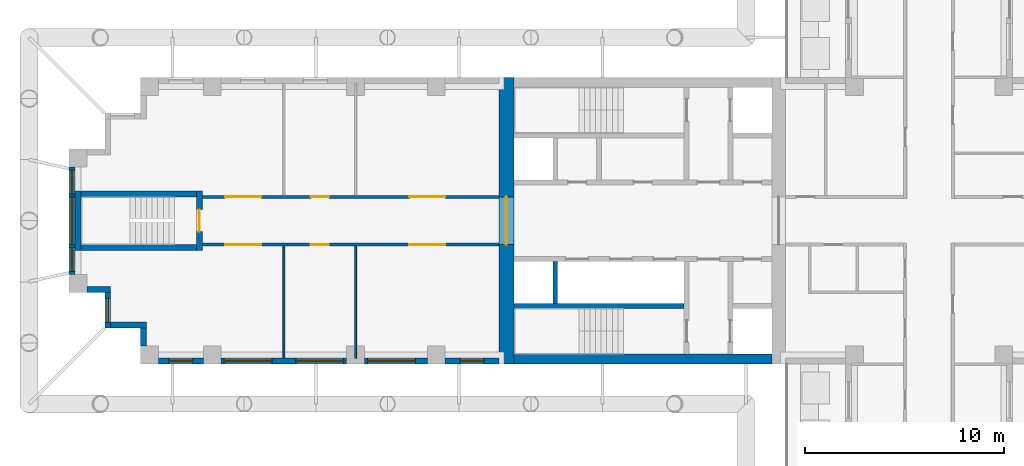
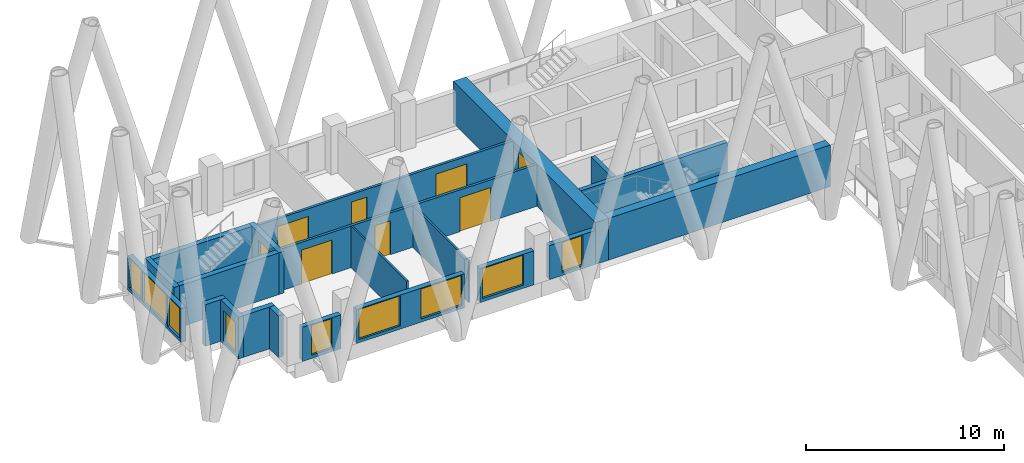
# One storey, part 6 of 17: 21 walls, 9 windows, 8 doors, 17 openings.
"""IFC4 building model written with IfcOpenShell, lengths in metres."""

import ifcopenshell
import ifcopenshell.guid

model = None  # the IFC model being written
_history = None  # IfcOwnerHistory: only IFC2X3 demands one
_inside = {}  # id of a spatial element -> (the spatial element, [elements in it])
_under = {}  # id of a project, library or spatial element -> (it, [spatial elements below it])
_declared = {}  # id of a project -> (the project, [libraries it declares])
_typed = {}  # id of a type object -> (the type object, [elements of that type])
_made_of = {}  # id of a material, layer set ... -> (it, [elements and type objects made of it])


def new_model(schema):
    """Start an empty IFC model of exactly this schema.

    Asked for "IFC4X3", IfcOpenShell would pick the latest addendum, in which some entities
    have other attributes; the version numbers below select the first issue.
    IFC2X3 requires an IfcOwnerHistory on every rooted entity: one is made here for all.
    """
    global model, _history
    if schema == "IFC4X3":
        model = ifcopenshell.file(schema_version=(4, 3, 0, 0))
    else:
        model = ifcopenshell.file(schema=schema)
    _inside.clear()
    _under.clear()
    _declared.clear()
    _typed.clear()
    _made_of.clear()
    _history = None
    if model.schema == "IFC2X3":
        org = make("IfcOrganization", Name="unknown")
        user = make(
            "IfcPersonAndOrganization",
            ThePerson=make("IfcPerson", FamilyName="unknown"),
            TheOrganization=org,
        )
        app = make(
            "IfcApplication",
            ApplicationDeveloper=org,
            Version="unknown",
            ApplicationFullName="unknown",
            ApplicationIdentifier="unknown",
        )
        _history = make(
            "IfcOwnerHistory",
            OwningUser=user,
            OwningApplication=app,
            ChangeAction="ADDED",
            CreationDate=0,
        )
    return model


def make(cls, **values):
    """One entity of the class cls with the attributes given. An attribute that is None is left unset."""
    return model.create_entity(
        cls, **{name: value for name, value in values.items() if value is not None}
    )


def rooted(cls, **values):
    """An entity with a GlobalId (a new one), such as an element, a storey or a relation."""
    return make(cls, GlobalId=ifcopenshell.guid.new(), OwnerHistory=_history, **values)


def si_unit(unit_type, name, prefix=None):
    """IfcSIUnit, for example si_unit("LENGTHUNIT", "METRE", prefix="MILLI")."""
    return make("IfcSIUnit", UnitType=unit_type, Prefix=prefix, Name=name)


def assignment(units):
    """IfcUnitAssignment: the units of a project."""
    return None if units is None else make("IfcUnitAssignment", Units=units)


def point(xyz):
    """IfcCartesianPoint."""
    return None if xyz is None else make("IfcCartesianPoint", Coordinates=xyz)


def direction(xyz):
    """IfcDirection."""
    return None if xyz is None else make("IfcDirection", DirectionRatios=xyz)


def frame(location, z_axis=None, x_axis=None):
    """IfcAxis2Placement3D, a coordinate frame: its origin and axes. An axis left out is left unset."""
    return make(
        "IfcAxis2Placement3D",
        Location=point(location),
        Axis=direction(z_axis),
        RefDirection=direction(x_axis),
    )


def frame_2d(location, x_axis=None):
    """IfcAxis2Placement2D, a coordinate frame in the plane: its origin and x axis."""
    return make(
        "IfcAxis2Placement2D", Location=point(location), RefDirection=direction(x_axis)
    )


def origin():
    """The frame at (0, 0, 0) with its axes left unset."""
    return frame((0.0, 0.0, 0.0))


def place(relative_to, where):
    """IfcLocalPlacement: puts the frame where relative to a parent placement (None: the world)."""
    return make(
        "IfcLocalPlacement", PlacementRelTo=relative_to, RelativePlacement=where
    )


def context(
    kind, dimensions, precision=None, world=None, true_north=None, identifier=None
):
    """IfcGeometricRepresentationContext, for example the 3D "Model" context."""
    return make(
        "IfcGeometricRepresentationContext",
        ContextIdentifier=identifier,
        ContextType=kind,
        CoordinateSpaceDimension=dimensions,
        Precision=precision,
        WorldCoordinateSystem=world,
        TrueNorth=true_north,
    )


def subcontext(parent, identifier, kind, view, scale=None):
    """IfcGeometricRepresentationSubContext, for example "Body" below "Model"."""
    return make(
        "IfcGeometricRepresentationSubContext",
        ContextIdentifier=identifier,
        ContextType=kind,
        ParentContext=parent,
        TargetScale=scale,
        TargetView=view,
    )


def project(units=None, contexts=None):
    """IfcProject with its units and contexts."""
    return rooted(
        "IfcProject",
        Name="project",
        RepresentationContexts=contexts,
        UnitsInContext=assignment(units),
    )


def spatial(cls, under=None, at=None, **own):
    """A site, building, storey or space (cls), placed at a placement, below another one or the project."""
    s = rooted(cls, ObjectPlacement=at, **own)
    if under is not None:
        _under.setdefault(under.id(), (under, []))[1].append(s)
    return s


def profile(cls, at=None, kind="AREA", **sizes):
    """A parametric profile (cls). Its sizes go by their IFC names, for example OverallWidth=200.0."""
    return make(cls, ProfileType=kind, Position=at, **sizes)


def rectangle(**sizes):
    """IfcRectangleProfileDef."""
    return profile("IfcRectangleProfileDef", **sizes)


def extrude(swept, where, along, depth):
    """IfcExtrudedAreaSolid: the profile swept, set in the frame where, extruded along a direction by depth."""
    return make(
        "IfcExtrudedAreaSolid",
        SweptArea=swept,
        Position=where,
        ExtrudedDirection=direction(along),
        Depth=depth,
    )


def shape(context_of_items, identifier, shape_type, items):
    """IfcShapeRepresentation: the items that make up one representation, for example the "Body"."""
    return make(
        "IfcShapeRepresentation",
        ContextOfItems=context_of_items,
        RepresentationIdentifier=identifier,
        RepresentationType=shape_type,
        Items=items,
    )


def material(Name=None, Category=None):
    """IfcMaterial."""
    return make("IfcMaterial", Name=Name, Category=Category)


def layer(
    of_material, thickness, ventilated=None, Name=None, Category=None, Priority=None
):
    """IfcMaterialLayer: one layer of a wall or slab, of a material (None: an air gap)."""
    return make(
        "IfcMaterialLayer",
        Material=of_material,
        LayerThickness=thickness,
        IsVentilated=ventilated,
        Name=Name,
        Category=Category,
        Priority=Priority,
    )


def layer_set(layers, Name=None):
    """IfcMaterialLayerSet."""
    return make("IfcMaterialLayerSet", MaterialLayers=layers, LayerSetName=Name)


def made_of(thing, what):
    """Note that an element or type object is made of a material, layer set ...; save() writes the relation."""
    if what is not None:
        _made_of.setdefault(what.id(), (what, []))[1].append(thing)
    return thing


def type_object(cls, material=None, **own):
    """A type object (cls), such as IfcWallType, which elements share."""
    return made_of(rooted(cls, **own), material)


def element(
    cls,
    number,
    at=None,
    inside=None,
    cuts=None,
    type_object=None,
    material=None,
    context=None,
    identifier="Body",
    shape_type=None,
    held_by="IfcProductDefinitionShape",
    body=None,
    shapes=None,
    **own,
):
    """One element of the class cls, such as IfcWall. Its Tag is "e" and its number.

    at: its placement. inside: the storey or other place that contains it. cuts: it is an
    opening in that element (IfcRelVoidsElement). A single representation is given by context,
    identifier, shape_type and body (its items); several are given by shapes. held_by: the class
    of the entity that holds the representations. save() writes the other relations.
    """
    e = rooted(cls, Tag="e%d" % number, ObjectPlacement=at, **own)
    if body is not None:
        shapes = [shape(context, identifier, shape_type, body)]
    if shapes is not None:
        e.Representation = make(held_by, Representations=shapes)
    if inside is not None:
        _inside.setdefault(inside.id(), (inside, []))[1].append(e)
    if cuts is not None:
        rooted(
            "IfcRelVoidsElement", RelatingBuildingElement=cuts, RelatedOpeningElement=e
        )
    if type_object is not None:
        _typed.setdefault(type_object.id(), (type_object, []))[1].append(e)
    return made_of(e, material)


def fill(opening, filler):
    """IfcRelFillsElement: the door or window that sits in an opening."""
    return rooted(
        "IfcRelFillsElement",
        RelatingOpeningElement=opening,
        RelatedBuildingElement=filler,
    )


def aggregate(whole, parts):
    """IfcRelAggregates: a whole, such as a stair, and the parts it consists of."""
    return rooted("IfcRelAggregates", RelatingObject=whole, RelatedObjects=parts)


def save(model, path):
    """Write the relations noted so far, then the file.

    IfcRelAggregates (storeys below a building ...), IfcRelContainedInSpatialStructure (elements
    in a storey), IfcRelDefinesByType, IfcRelAssociatesMaterial and IfcRelDeclares: one each for
    every whole, place, type object, material and project.
    """
    for whole, parts in _under.values():
        aggregate(whole, parts)
    for where, things in _inside.values():
        rooted(
            "IfcRelContainedInSpatialStructure",
            RelatedElements=things,
            RelatingStructure=where,
        )
    for kind, things in _typed.values():
        rooted("IfcRelDefinesByType", RelatedObjects=things, RelatingType=kind)
    for what, things in _made_of.values():
        rooted("IfcRelAssociatesMaterial", RelatedObjects=things, RelatingMaterial=what)
    for by, libraries in _declared.values():
        rooted("IfcRelDeclares", RelatingContext=by, RelatedDefinitions=libraries)
    model.write(path)


model = new_model("IFC4")

# Units and contexts
model_context = context("Model", 3, precision=1e-05, world=origin(), true_north=direction((0.0, 1.0)))
body_context = subcontext(model_context, "Body", "Model", "MODEL_VIEW")
ifc_project = project(units=[si_unit("LENGTHUNIT", "METRE"), si_unit("AREAUNIT", "SQUARE_METRE"), si_unit("VOLUMEUNIT", "CUBIC_METRE"), si_unit("PLANEANGLEUNIT", "RADIAN"), si_unit("MASSUNIT", "GRAM", prefix="KILO")], contexts=[model_context])

# Site, building, storey
site_placement = place(None, origin())
site = spatial("IfcSite", under=ifc_project, at=site_placement, CompositionType="ELEMENT")
building_placement = place(site_placement, origin())
building = spatial("IfcBuilding", under=site, at=building_placement, Name="Fustian Cross Tower", CompositionType="ELEMENT")
storey_placement = place(building_placement, frame((0.0, 0.0, 32.699951171875)))
storey = spatial("IfcBuildingStorey", under=building, at=storey_placement, Name="L09", CompositionType="ELEMENT", Elevation=32.699951171875)

# Wall, openings, doors
ifc_material_1 = material(Name="Plasterboard on steel stud", Category="steel")
ifc_layer_1 = layer(ifc_material_1, 0.14990234375)
ifc_layer_set_1 = layer_set([ifc_layer_1], Name="Plasterboard on steel stud")
wall_type_1 = type_object("IfcWallType", Name="COMPARTMENT WALL 150 EI 60", PredefinedType="PARTITIONING", material=ifc_layer_set_1)
wall_1_placement = place(storey_placement, frame((-36.5, -1.199951171875, 0.0), z_axis=(0.0, 0.0, 1.0), x_axis=(1.0, 0.0, 0.0)))
wall_1 = element("IfcWall", 1, at=wall_1_placement, inside=storey, type_object=wall_type_1, Name="Partition 1", PredefinedType="PARTITIONING", context=body_context, shape_type="SweptSolid", body=[
    extrude(rectangle(XDim=14.89990234375, YDim=0.14990234375, at=frame_2d((7.449951171875, 0.0))), origin(), (0.0, 0.0, 1.0), 2.574951171875),
])
opening_1_placement = place(wall_1_placement, frame((10.39990234375, 0.0, 0.0)))
opening_1 = element("IfcOpeningElement", 2, at=opening_1_placement, cuts=wall_1, Name="Opening D06042", PredefinedType="OPENING", context=body_context, shape_type="SweptSolid", body=[
    extrude(rectangle(XDim=1.800048828125, YDim=2.10009765625, at=frame_2d((0.89990234375, 1.050048828125))), frame((0.0, 0.0849609375, 0.0), z_axis=(0.0, -1.0, 0.0), x_axis=(1.0, 0.0, 0.0)), (0.0, 0.0, 1.0), 0.169921875),
])
opening_2_placement = place(wall_1_placement, frame((5.449951171875, 0.0, 0.0)))
opening_2 = element("IfcOpeningElement", 3, at=opening_2_placement, cuts=wall_1, Name="Opening D06043", PredefinedType="OPENING", context=body_context, shape_type="SweptSolid", body=[
    extrude(rectangle(XDim=0.89990234375, YDim=2.10009765625, at=frame_2d((0.449951171875, 1.050048828125))), frame((0.0, 0.0849609375, 0.0), z_axis=(0.0, -1.0, 0.0), x_axis=(1.0, 0.0, 0.0)), (0.0, 0.0, 1.0), 0.169921875),
])
opening_3_placement = place(wall_1_placement, frame((1.14990234375, 0.0, 0.0)))
opening_3 = element("IfcOpeningElement", 4, at=opening_3_placement, cuts=wall_1, Name="Opening D06044", PredefinedType="OPENING", context=body_context, shape_type="SweptSolid", body=[
    extrude(rectangle(XDim=1.800048828125, YDim=2.10009765625, at=frame_2d((0.89990234375, 1.050048828125))), frame((0.0, 0.0849609375, 0.0), z_axis=(0.0, -1.0, 0.0), x_axis=(1.0, 0.0, 0.0)), (0.0, 0.0, 1.0), 0.169921875),
])
ifc_material_2 = material(Name="Timber fire door set", Category="wood")
door_type_1 = type_object("IfcDoorType", Name="FIRE DOUBLE DOOR 1800 FD30S", OperationType="DOUBLE_DOOR_DOUBLE_SWING", PredefinedType="DOOR", material=ifc_material_2)
door_1_placement = place(opening_1_placement, origin())
door_1 = element("IfcDoor", 5, at=door_1_placement, inside=storey, type_object=door_type_1, Name="Door D06042", OperationType="DOUBLE_DOOR_DOUBLE_SWING", OverallHeight=2.10009765625, OverallWidth=1.800048828125, PredefinedType="DOOR", context=body_context, shape_type="SweptSolid", body=[
    extrude(rectangle(XDim=1.800048828125, YDim=2.10009765625, at=frame_2d((0.89990234375, 1.050048828125))), frame((0.0, 0.02490234375, 0.0), z_axis=(0.0, -1.0, 0.0), x_axis=(1.0, 0.0, 0.0)), (0.0, 0.0, 1.0), 0.050048828125),
])
fill(opening_1, door_1)
door_2_placement = place(opening_3_placement, origin())
door_2 = element("IfcDoor", 6, at=door_2_placement, inside=storey, type_object=door_type_1, Name="Door D06044", OperationType="DOUBLE_DOOR_DOUBLE_SWING", OverallHeight=2.10009765625, OverallWidth=1.800048828125, PredefinedType="DOOR", context=body_context, shape_type="SweptSolid", body=[
    extrude(rectangle(XDim=1.800048828125, YDim=2.10009765625, at=frame_2d((0.89990234375, 1.050048828125))), frame((0.0, 0.02490234375, 0.0), z_axis=(0.0, -1.0, 0.0), x_axis=(1.0, 0.0, 0.0)), (0.0, 0.0, 1.0), 0.050048828125),
])
fill(opening_3, door_2)
ifc_material_3 = material(Name="Timber fire door set", Category="wood")
door_type_2 = type_object("IfcDoorType", Name="FIRE SWING DOOR 900 FD30S", OperationType="SINGLE_SWING_LEFT", PredefinedType="DOOR", material=ifc_material_3)
door_3_placement = place(opening_2_placement, frame((0.89990234375, 0.0, 0.0), z_axis=(0.0, 0.0, 1.0), x_axis=(-1.0, 0.0, 0.0)))
door_3 = element("IfcDoor", 7, at=door_3_placement, inside=storey, type_object=door_type_2, Name="Door D06043", OperationType="SINGLE_SWING_RIGHT", OverallHeight=2.10009765625, OverallWidth=0.89990234375, PredefinedType="DOOR", context=body_context, shape_type="SweptSolid", body=[
    extrude(rectangle(XDim=0.89990234375, YDim=2.10009765625, at=frame_2d((0.449951171875, 1.050048828125))), frame((0.0, 0.02490234375, 0.0), z_axis=(0.0, -1.0, 0.0), x_axis=(1.0, 0.0, 0.0)), (0.0, 0.0, 1.0), 0.050048828125),
])
fill(opening_2, door_3)

wall_2_placement = place(storey_placement, frame((-36.5, 1.199951171875, 0.0), z_axis=(0.0, 0.0, 1.0), x_axis=(1.0, 0.0, 0.0)))
wall_2 = element("IfcWall", 8, at=wall_2_placement, inside=storey, type_object=wall_type_1, Name="Partition 2", PredefinedType="PARTITIONING", context=body_context, shape_type="SweptSolid", body=[
    extrude(rectangle(XDim=14.89990234375, YDim=0.14990234375, at=frame_2d((7.449951171875, 0.0))), origin(), (0.0, 0.0, 1.0), 2.574951171875),
])
opening_4_placement = place(wall_2_placement, frame((10.39990234375, 0.0, 0.0)))
opening_4 = element("IfcOpeningElement", 9, at=opening_4_placement, cuts=wall_2, Name="Opening D06045", PredefinedType="OPENING", context=body_context, shape_type="SweptSolid", body=[
    extrude(rectangle(XDim=1.800048828125, YDim=2.10009765625, at=frame_2d((0.89990234375, 1.050048828125))), frame((0.0, 0.0849609375, 0.0), z_axis=(0.0, -1.0, 0.0), x_axis=(1.0, 0.0, 0.0)), (0.0, 0.0, 1.0), 0.169921875),
])
opening_5_placement = place(wall_2_placement, frame((5.449951171875, 0.0, 0.0)))
opening_5 = element("IfcOpeningElement", 10, at=opening_5_placement, cuts=wall_2, Name="Opening D06046", PredefinedType="OPENING", context=body_context, shape_type="SweptSolid", body=[
    extrude(rectangle(XDim=0.89990234375, YDim=2.10009765625, at=frame_2d((0.449951171875, 1.050048828125))), frame((0.0, 0.0849609375, 0.0), z_axis=(0.0, -1.0, 0.0), x_axis=(1.0, 0.0, 0.0)), (0.0, 0.0, 1.0), 0.169921875),
])
opening_6_placement = place(wall_2_placement, frame((1.14990234375, 0.0, 0.0)))
opening_6 = element("IfcOpeningElement", 11, at=opening_6_placement, cuts=wall_2, Name="Opening D06047", PredefinedType="OPENING", context=body_context, shape_type="SweptSolid", body=[
    extrude(rectangle(XDim=1.800048828125, YDim=2.10009765625, at=frame_2d((0.89990234375, 1.050048828125))), frame((0.0, 0.0849609375, 0.0), z_axis=(0.0, -1.0, 0.0), x_axis=(1.0, 0.0, 0.0)), (0.0, 0.0, 1.0), 0.169921875),
])
door_4_placement = place(opening_4_placement, frame((1.800048828125, 0.0, 0.0), z_axis=(0.0, 0.0, 1.0), x_axis=(-1.0, 0.0, 0.0)))
door_4 = element("IfcDoor", 12, at=door_4_placement, inside=storey, type_object=door_type_1, Name="Door D06045", OperationType="DOUBLE_DOOR_DOUBLE_SWING", OverallHeight=2.10009765625, OverallWidth=1.800048828125, PredefinedType="DOOR", context=body_context, shape_type="SweptSolid", body=[
    extrude(rectangle(XDim=1.800048828125, YDim=2.10009765625, at=frame_2d((0.89990234375, 1.050048828125))), frame((0.0, 0.02490234375, 0.0), z_axis=(0.0, -1.0, 0.0), x_axis=(1.0, 0.0, 0.0)), (0.0, 0.0, 1.0), 0.050048828125),
])
fill(opening_4, door_4)
door_5_placement = place(opening_6_placement, frame((1.800048828125, 0.0, 0.0), z_axis=(0.0, 0.0, 1.0), x_axis=(-1.0, 0.0, 0.0)))
door_5 = element("IfcDoor", 13, at=door_5_placement, inside=storey, type_object=door_type_1, Name="Door D06047", OperationType="DOUBLE_DOOR_DOUBLE_SWING", OverallHeight=2.10009765625, OverallWidth=1.800048828125, PredefinedType="DOOR", context=body_context, shape_type="SweptSolid", body=[
    extrude(rectangle(XDim=1.800048828125, YDim=2.10009765625, at=frame_2d((0.89990234375, 1.050048828125))), frame((0.0, 0.02490234375, 0.0), z_axis=(0.0, -1.0, 0.0), x_axis=(1.0, 0.0, 0.0)), (0.0, 0.0, 1.0), 0.050048828125),
])
fill(opening_6, door_5)
door_6_placement = place(opening_5_placement, origin())
door_6 = element("IfcDoor", 14, at=door_6_placement, inside=storey, type_object=door_type_2, Name="Door D06046", OperationType="SINGLE_SWING_LEFT", OverallHeight=2.10009765625, OverallWidth=0.89990234375, PredefinedType="DOOR", context=body_context, shape_type="SweptSolid", body=[
    extrude(rectangle(XDim=0.89990234375, YDim=2.10009765625, at=frame_2d((0.449951171875, 1.050048828125))), frame((0.0, 0.02490234375, 0.0), z_axis=(0.0, -1.0, 0.0), x_axis=(1.0, 0.0, 0.0)), (0.0, 0.0, 1.0), 0.050048828125),
])
fill(opening_5, door_6)

# Wall, opening, door
ifc_material_4 = material(Name="Concrete C80/95", Category="concrete")
ifc_layer_2 = layer(ifc_material_4, 0.75)
ifc_layer_set_2 = layer_set([ifc_layer_2], Name="Concrete C80/95")
wall_type_2 = type_object("IfcWallType", Name="CORE END WALL 750 C80/95", PredefinedType="SHEAR", material=ifc_layer_set_2)
wall_3_placement = place(storey_placement, frame((-21.22509765625, -7.199951171875, 0.0), z_axis=(0.0, 0.0, 1.0), x_axis=(0.0, 1.0, 0.0)))
wall_3 = element("IfcWall", 15, at=wall_3_placement, inside=storey, type_object=wall_type_2, Name="Core end wall", PredefinedType="SHEAR", context=body_context, shape_type="SweptSolid", body=[
    extrude(rectangle(XDim=14.39990234375, YDim=0.75, at=frame_2d((7.199951171875, 0.0))), origin(), (0.0, 0.0, 1.0), 2.574951171875),
])
opening_7_placement = place(wall_3_placement, frame((6.0, 0.0, 0.0)))
opening_7 = element("IfcOpeningElement", 16, at=opening_7_placement, cuts=wall_3, Name="Opening CD-06-28", PredefinedType="OPENING", context=body_context, shape_type="SweptSolid", body=[
    extrude(rectangle(XDim=2.39990234375, YDim=2.199951171875, at=frame_2d((1.199951171875, 1.10009765625))), frame((0.0, 0.385009765625, 0.0), z_axis=(0.0, -1.0, 0.0), x_axis=(1.0, 0.0, 0.0)), (0.0, 0.0, 1.0), 0.77001953125),
])
ifc_material_5 = material(Name="Steel", Category="steel")
door_type_3 = type_object("IfcDoorType", Name="FIRE DOOR FD30S DOUBLE 2400X2200", OperationType="DOUBLE_DOOR_DOUBLE_SWING", PredefinedType="DOOR", material=ifc_material_5)
door_7_placement = place(opening_7_placement, frame((2.39990234375, 0.0, 0.0), z_axis=(0.0, 0.0, 1.0), x_axis=(-1.0, 0.0, 0.0)))
door_7 = element("IfcDoor", 17, at=door_7_placement, inside=storey, type_object=door_type_3, Name="Core door CD-06-28", OperationType="DOUBLE_DOOR_DOUBLE_SWING", OverallHeight=2.199951171875, OverallWidth=2.39990234375, PredefinedType="DOOR", context=body_context, shape_type="SweptSolid", body=[
    extrude(rectangle(XDim=2.39990234375, YDim=2.199951171875, at=frame_2d((1.199951171875, 1.10009765625))), frame((0.0, 0.02490234375, 0.0), z_axis=(0.0, -1.0, 0.0), x_axis=(1.0, 0.0, 0.0)), (0.0, 0.0, 1.0), 0.050048828125),
])
fill(opening_7, door_7)

# Walls
ifc_material_6 = material(Name="Concrete C80/95", Category="concrete")
ifc_layer_3 = layer(ifc_material_6, 0.5)
ifc_layer_set_3 = layer_set([ifc_layer_3], Name="Concrete C80/95")
wall_type_3 = type_object("IfcWallType", Name="CORE FACADE WALL 500 C80/95", PredefinedType="SHEAR", material=ifc_layer_set_3)
wall_4_placement = place(storey_placement, frame((-7.89990234375, -6.949951171875, 0.0), z_axis=(0.0, 0.0, 1.0), x_axis=(-1.0, 0.0, 0.0)))
element("IfcWall", 18, at=wall_4_placement, inside=storey, type_object=wall_type_3, Name="Core facade wall", PredefinedType="SHEAR", context=body_context, shape_type="SweptSolid", body=[
    extrude(rectangle(XDim=12.9501953125, YDim=0.5, at=frame_2d((6.47509765625, 0.0))), origin(), (0.0, 0.0, 1.0), 2.574951171875),
])
ifc_material_7 = material(Name="Concrete C50/60", Category="concrete")
ifc_layer_4 = layer(ifc_material_7, 0.25)
ifc_layer_set_4 = layer_set([ifc_layer_4], Name="Concrete C50/60")
wall_type_4 = type_object("IfcWallType", Name="CORE SHAFT WALL 250 C50/60", PredefinedType="SHEAR", material=ifc_layer_set_4)
wall_5_placement = place(storey_placement, frame((-12.300048828125, -4.27490234375, 0.0), z_axis=(0.0, 0.0, 1.0), x_axis=(-1.0, 0.0, 0.0)))
element("IfcWall", 19, at=wall_5_placement, inside=storey, type_object=wall_type_4, Name="Core shaft wall", PredefinedType="SHEAR", context=body_context, shape_type="SweptSolid", body=[
    extrude(rectangle(XDim=8.550048828125, YDim=0.25, at=frame_2d((4.27490234375, 0.0))), origin(), (0.0, 0.0, 1.0), 2.574951171875),
])
ifc_material_8 = material(Name="Plasterboard on steel stud", Category="steel")
ifc_layer_5 = layer(ifc_material_8, 0.10009765625)
ifc_layer_set_5 = layer_set([ifc_layer_5], Name="Plasterboard on steel stud")
wall_type_5 = type_object("IfcWallType", Name="PARTITION 100 STUD", PredefinedType="PARTITIONING", material=ifc_layer_set_5)
for number, where, z_axis, x_axis, name in (
    (20, (-32.39990234375, -6.89990234375, 0.0), (0.0, 0.0, 1.0), (0.0, 1.0, 0.0), "Partition 3"),
    (21, (-28.800048828125, -6.89990234375, 0.0), (0.0, 0.0, 1.0), (0.0, 1.0, 0.0), "Partition 5"),
):
    element("IfcWall", number, at=place(storey_placement, frame(where, z_axis=z_axis, x_axis=x_axis)), inside=storey, type_object=wall_type_5, Name=name, PredefinedType="PARTITIONING", context=body_context, shape_type="SweptSolid", body=[
        extrude(rectangle(XDim=5.625, YDim=0.10009765625, at=frame_2d((2.8125, 0.0))), origin(), (0.0, 0.0, 1.0), 2.574951171875),
    ])
ifc_material_9 = material(Name="Concrete C40/50", Category="concrete")
ifc_layer_6 = layer(ifc_material_9, 0.25)
ifc_layer_set_6 = layer_set([ifc_layer_6], Name="Concrete C40/50")
wall_type_6 = type_object("IfcWallType", Name="SHAFT PARTITION WALL 250 C40/50", PredefinedType="PARTITIONING", material=ifc_layer_set_6)
wall_6_placement = place(storey_placement, frame((-18.77490234375, -2.050048828125, 0.0), z_axis=(0.0, 0.0, 1.0), x_axis=(0.0, -1.0, 0.0)))
element("IfcWall", 22, at=wall_6_placement, inside=storey, type_object=wall_type_6, Name="Core shaft wall", PredefinedType="PARTITIONING", context=body_context, shape_type="SweptSolid", body=[
    extrude(rectangle(XDim=2.099853515625, YDim=0.25, at=frame_2d((1.0498046875, 0.0))), origin(), (0.0, 0.0, 1.0), 2.574951171875),
])

# Wall, opening, door
ifc_material_10 = material(Name="Concrete C50/60", Category="concrete")
ifc_layer_7 = layer(ifc_material_10, 0.300048828125)
ifc_layer_set_7 = layer_set([ifc_layer_7], Name="Concrete C50/60")
wall_type_7 = type_object("IfcWallType", Name="STAIR ENCLOSURE WALL 300 C50/60", PredefinedType="SHEAR", material=ifc_layer_set_7)
wall_7_placement = place(storey_placement, frame((-36.64990234375, -1.5, 0.0), z_axis=(0.0, 0.0, 1.0), x_axis=(0.0, 1.0, 0.0)))
wall_7 = element("IfcWall", 23, at=wall_7_placement, inside=storey, type_object=wall_type_7, Name="Stair enclosure wall", PredefinedType="SHEAR", context=body_context, shape_type="SweptSolid", body=[
    extrude(rectangle(XDim=3.0, YDim=0.300048828125, at=frame_2d((1.5, 0.0))), origin(), (0.0, 0.0, 1.0), 2.574951171875),
])
opening_8_placement = place(wall_7_placement, frame((0.949951171875, 0.0, 0.0)))
opening_8 = element("IfcOpeningElement", 24, at=opening_8_placement, cuts=wall_7, Name="Opening CD-06-34", PredefinedType="OPENING", context=body_context, shape_type="SweptSolid", body=[
    extrude(rectangle(XDim=1.10009765625, YDim=2.10009765625, at=frame_2d((0.550048828125, 1.050048828125))), frame((0.0, 0.159912109375, 0.0), z_axis=(0.0, -1.0, 0.0), x_axis=(1.0, 0.0, 0.0)), (0.0, 0.0, 1.0), 0.320068359375),
])
ifc_material_11 = material(Name="Steel", Category="steel")
door_type_4 = type_object("IfcDoorType", Name="FIRE DOOR FD60S 1100X2100", OperationType="SINGLE_SWING_LEFT", PredefinedType="DOOR", material=ifc_material_11)
door_8_placement = place(opening_8_placement, origin())
door_8 = element("IfcDoor", 25, at=door_8_placement, inside=storey, type_object=door_type_4, Name="Core door CD-06-34", OperationType="SINGLE_SWING_LEFT", OverallHeight=2.10009765625, OverallWidth=1.10009765625, PredefinedType="DOOR", context=body_context, shape_type="SweptSolid", body=[
    extrude(rectangle(XDim=1.10009765625, YDim=2.10009765625, at=frame_2d((0.550048828125, 1.050048828125))), frame((0.0, 0.02490234375, 0.0), z_axis=(0.0, -1.0, 0.0), x_axis=(1.0, 0.0, 0.0)), (0.0, 0.0, 1.0), 0.050048828125),
])
fill(opening_8, door_8)

# Walls
wall_8_placement = place(storey_placement, frame((-42.75, -1.5, 0.0), z_axis=(0.0, 0.0, 1.0), x_axis=(0.0, 1.0, 0.0)))
element("IfcWall", 26, at=wall_8_placement, inside=storey, type_object=wall_type_7, Name="Stair enclosure wall", PredefinedType="SHEAR", context=body_context, shape_type="SweptSolid", body=[
    extrude(rectangle(XDim=3.0, YDim=0.300048828125, at=frame_2d((1.5, 0.0))), origin(), (0.0, 0.0, 1.0), 2.574951171875),
])
for number, where, z_axis, x_axis, name in (
    (27, (-36.800048828125, -1.35009765625, 0.0), (0.0, 0.0, 1.0), (-1.0, 0.0, 0.0), "Stair enclosure wall"),
    (28, (-36.800048828125, 1.35009765625, 0.0), (0.0, 0.0, 1.0), (-1.0, 0.0, 0.0), "Stair enclosure wall"),
):
    element("IfcWall", number, at=place(storey_placement, frame(where, z_axis=z_axis, x_axis=x_axis)), inside=storey, type_object=wall_type_7, Name=name, PredefinedType="SHEAR", context=body_context, shape_type="SweptSolid", body=[
        extrude(rectangle(XDim=5.800048828125, YDim=0.300048828125, at=frame_2d((2.89990234375, 0.0))), origin(), (0.0, 0.0, 1.0), 2.574951171875),
    ])

# Wall, openings, windows
ifc_material_12 = material(Name="Dark aluminium cladding on insulated backing wall", Category="aluminium")
ifc_layer_8 = layer(ifc_material_12, 0.300048828125)
ifc_layer_set_8 = layer_set([ifc_layer_8], Name="Dark aluminium cladding on insulated backing wall")
wall_type_8 = type_object("IfcWallType", Name="XW1 EXTERNAL WALL 300", PredefinedType="SOLIDWALL", material=ifc_layer_set_8)
wall_9_placement = place(storey_placement, frame((-43.050048828125, 2.699951171875, 0.0), z_axis=(0.0, 0.0, 1.0), x_axis=(0.0, -1.0, 0.0)))
wall_9 = element("IfcWall", 29, at=wall_9_placement, inside=storey, type_object=wall_type_8, Name="External wall", PredefinedType="SOLIDWALL", context=body_context, shape_type="SweptSolid", body=[
    extrude(rectangle(XDim=5.39990234375, YDim=0.300048828125, at=frame_2d((2.699951171875, 0.0))), origin(), (0.0, 0.0, 1.0), 2.10009765625),
])
opening_9_placement = place(wall_9_placement, frame((1.5, 0.0, 0.199951171875)))
opening_9 = element("IfcOpeningElement", 30, at=opening_9_placement, cuts=wall_9, Name="Opening WN1", PredefinedType="OPENING", context=body_context, shape_type="SweptSolid", body=[
    extrude(rectangle(XDim=2.39990234375, YDim=1.85009765625, at=frame_2d((1.199951171875, 0.925048828125))), frame((0.0, 0.159912109375, 0.0), z_axis=(0.0, -1.0, 0.0), x_axis=(1.0, 0.0, 0.0)), (0.0, 0.0, 1.0), 0.320068359375),
])
opening_10_placement = place(wall_9_placement, frame((0.14990234375, 0.0, 0.199951171875)))
opening_10 = element("IfcOpeningElement", 31, at=opening_10_placement, cuts=wall_9, Name="Opening WN3", PredefinedType="OPENING", context=body_context, shape_type="SweptSolid", body=[
    extrude(rectangle(XDim=1.199951171875, YDim=1.85009765625, at=frame_2d((0.60009765625, 0.925048828125))), frame((0.0, 0.159912109375, 0.0), z_axis=(0.0, -1.0, 0.0), x_axis=(1.0, 0.0, 0.0)), (0.0, 0.0, 1.0), 0.320068359375),
])
opening_11_placement = place(wall_9_placement, frame((4.050048828125, 0.0, 0.199951171875)))
opening_11 = element("IfcOpeningElement", 32, at=opening_11_placement, cuts=wall_9, Name="Opening WN3", PredefinedType="OPENING", context=body_context, shape_type="SweptSolid", body=[
    extrude(rectangle(XDim=1.199951171875, YDim=1.85009765625, at=frame_2d((0.60009765625, 0.925048828125))), frame((0.0, 0.159912109375, 0.0), z_axis=(0.0, -1.0, 0.0), x_axis=(1.0, 0.0, 0.0)), (0.0, 0.0, 1.0), 0.320068359375),
])
ifc_material_13 = material(Name="Dark anodised aluminium and double glazing", Category="aluminium")
window_type_1 = type_object("IfcWindowType", Name="WN1 WINDOW 2400X1850", PartitioningType="SINGLE_PANEL", PredefinedType="WINDOW", material=ifc_material_13)
window_1_placement = place(opening_9_placement, origin())
window_1 = element("IfcWindow", 33, at=window_1_placement, inside=storey, type_object=window_type_1, Name="Window", OverallHeight=1.85009765625, OverallWidth=2.39990234375, PartitioningType="SINGLE_PANEL", PredefinedType="WINDOW", context=body_context, shape_type="SweptSolid", body=[
    extrude(rectangle(XDim=2.39990234375, YDim=1.85009765625, at=frame_2d((1.199951171875, 0.925048828125))), frame((0.0, 0.030029296875, 0.0), z_axis=(0.0, -1.0, 0.0), x_axis=(1.0, 0.0, 0.0)), (0.0, 0.0, 1.0), 0.06005859375),
])
fill(opening_9, window_1)
ifc_material_14 = material(Name="Dark anodised aluminium and double glazing", Category="aluminium")
window_type_2 = type_object("IfcWindowType", Name="WN3 WINDOW 1200X1850", PartitioningType="SINGLE_PANEL", PredefinedType="WINDOW", material=ifc_material_14)
window_2_placement = place(opening_10_placement, origin())
window_2 = element("IfcWindow", 34, at=window_2_placement, inside=storey, type_object=window_type_2, Name="Window", OverallHeight=1.85009765625, OverallWidth=1.199951171875, PartitioningType="SINGLE_PANEL", PredefinedType="WINDOW", context=body_context, shape_type="SweptSolid", body=[
    extrude(rectangle(XDim=1.199951171875, YDim=1.85009765625, at=frame_2d((0.60009765625, 0.925048828125))), frame((0.0, 0.030029296875, 0.0), z_axis=(0.0, -1.0, 0.0), x_axis=(1.0, 0.0, 0.0)), (0.0, 0.0, 1.0), 0.06005859375),
])
fill(opening_10, window_2)
window_3_placement = place(opening_11_placement, origin())
window_3 = element("IfcWindow", 35, at=window_3_placement, inside=storey, type_object=window_type_2, Name="Window", OverallHeight=1.85009765625, OverallWidth=1.199951171875, PartitioningType="SINGLE_PANEL", PredefinedType="WINDOW", context=body_context, shape_type="SweptSolid", body=[
    extrude(rectangle(XDim=1.199951171875, YDim=1.85009765625, at=frame_2d((0.60009765625, 0.925048828125))), frame((0.0, 0.030029296875, 0.0), z_axis=(0.0, -1.0, 0.0), x_axis=(1.0, 0.0, 0.0)), (0.0, 0.0, 1.0), 0.06005859375),
])
fill(opening_11, window_3)

# Wall
wall_10_placement = place(storey_placement, frame((-42.300048828125, -3.449951171875, 0.0), z_axis=(0.0, 0.0, 1.0), x_axis=(1.0, 0.0, 0.0)))
element("IfcWall", 36, at=wall_10_placement, inside=storey, type_object=wall_type_8, Name="External wall", PredefinedType="SOLIDWALL", context=body_context, shape_type="SweptSolid", body=[
    extrude(rectangle(XDim=1.199951171875, YDim=0.300048828125, at=frame_2d((0.60009765625, 0.0))), origin(), (0.0, 0.0, 1.0), 2.574951171875),
])

# Wall, opening, window
wall_11_placement = place(storey_placement, frame((-41.25, -3.60009765625, 0.0), z_axis=(0.0, 0.0, 1.0), x_axis=(0.0, -1.0, 0.0)))
wall_11 = element("IfcWall", 37, at=wall_11_placement, inside=storey, type_object=wall_type_8, Name="External wall", PredefinedType="SOLIDWALL", context=body_context, shape_type="SweptSolid", body=[
    extrude(rectangle(XDim=1.7998046875, YDim=0.300048828125, at=frame_2d((0.89990234375, 0.0))), origin(), (0.0, 0.0, 1.0), 2.574951171875),
])
opening_12_placement = place(wall_11_placement, frame((0.300048828125, 0.0, 0.199951171875)))
opening_12 = element("IfcOpeningElement", 38, at=opening_12_placement, cuts=wall_11, Name="Opening WN3", PredefinedType="OPENING", context=body_context, shape_type="SweptSolid", body=[
    extrude(rectangle(XDim=1.199951171875, YDim=1.85009765625, at=frame_2d((0.60009765625, 0.925048828125))), frame((0.0, 0.159912109375, 0.0), z_axis=(0.0, -1.0, 0.0), x_axis=(1.0, 0.0, 0.0)), (0.0, 0.0, 1.0), 0.320068359375),
])
window_4_placement = place(opening_12_placement, origin())
window_4 = element("IfcWindow", 39, at=window_4_placement, inside=storey, type_object=window_type_2, Name="Window", OverallHeight=1.85009765625, OverallWidth=1.199951171875, PartitioningType="SINGLE_PANEL", PredefinedType="WINDOW", context=body_context, shape_type="SweptSolid", body=[
    extrude(rectangle(XDim=1.199951171875, YDim=1.85009765625, at=frame_2d((0.60009765625, 0.925048828125))), frame((0.0, 0.030029296875, 0.0), z_axis=(0.0, -1.0, 0.0), x_axis=(1.0, 0.0, 0.0)), (0.0, 0.0, 1.0), 0.06005859375),
])
fill(opening_12, window_4)

# Walls
wall_12_placement = place(storey_placement, frame((-41.10009765625, -5.25, 0.0), z_axis=(0.0, 0.0, 1.0), x_axis=(1.0, 0.0, 0.0)))
element("IfcWall", 40, at=wall_12_placement, inside=storey, type_object=wall_type_8, Name="External wall", PredefinedType="SOLIDWALL", context=body_context, shape_type="SweptSolid", body=[
    extrude(rectangle(XDim=1.800048828125, YDim=0.300048828125, at=frame_2d((0.89990234375, 0.0))), origin(), (0.0, 0.0, 1.0), 2.574951171875),
])
wall_13_placement = place(storey_placement, frame((-39.449951171875, -5.39990234375, 0.0), z_axis=(0.0, 0.0, 1.0), x_axis=(0.0, -1.0, 0.0)))
element("IfcWall", 41, at=wall_13_placement, inside=storey, type_object=wall_type_8, Name="External wall", PredefinedType="SOLIDWALL", context=body_context, shape_type="SweptSolid", body=[
    extrude(rectangle(XDim=0.900146484375, YDim=0.300048828125, at=frame_2d((0.4501953125, 0.0))), origin(), (0.0, 0.0, 1.0), 2.574951171875),
])

# Wall, opening, window
wall_14_placement = place(storey_placement, frame((-38.699951171875, -7.050048828125, 0.0), z_axis=(0.0, 0.0, 1.0), x_axis=(1.0, 0.0, 0.0)))
wall_14 = element("IfcWall", 42, at=wall_14_placement, inside=storey, type_object=wall_type_8, Name="External wall", PredefinedType="SOLIDWALL", context=body_context, shape_type="SweptSolid", body=[
    extrude(rectangle(XDim=2.25, YDim=0.300048828125, at=frame_2d((1.125, 0.0))), origin(), (0.0, 0.0, 1.0), 2.10009765625),
])
opening_13_placement = place(wall_14_placement, frame((0.52490234375, 0.0, 0.199951171875)))
opening_13 = element("IfcOpeningElement", 43, at=opening_13_placement, cuts=wall_14, Name="Opening WN3", PredefinedType="OPENING", context=body_context, shape_type="SweptSolid", body=[
    extrude(rectangle(XDim=1.199951171875, YDim=1.85009765625, at=frame_2d((0.60009765625, 0.925048828125))), frame((0.0, 0.159912109375, 0.0), z_axis=(0.0, -1.0, 0.0), x_axis=(1.0, 0.0, 0.0)), (0.0, 0.0, 1.0), 0.320068359375),
])
window_5_placement = place(opening_13_placement, origin())
window_5 = element("IfcWindow", 44, at=window_5_placement, inside=storey, type_object=window_type_2, Name="Window", OverallHeight=1.85009765625, OverallWidth=1.199951171875, PartitioningType="SINGLE_PANEL", PredefinedType="WINDOW", context=body_context, shape_type="SweptSolid", body=[
    extrude(rectangle(XDim=1.199951171875, YDim=1.85009765625, at=frame_2d((0.60009765625, 0.925048828125))), frame((0.0, 0.030029296875, 0.0), z_axis=(0.0, -1.0, 0.0), x_axis=(1.0, 0.0, 0.0)), (0.0, 0.0, 1.0), 0.06005859375),
])
fill(opening_13, window_5)

# Wall, openings, windows
wall_15_placement = place(storey_placement, frame((-35.550048828125, -7.050048828125, 0.0), z_axis=(0.0, 0.0, 1.0), x_axis=(1.0, 0.0, 0.0)))
wall_15 = element("IfcWall", 45, at=wall_15_placement, inside=storey, type_object=wall_type_8, Name="External wall", PredefinedType="SOLIDWALL", context=body_context, shape_type="SweptSolid", body=[
    extrude(rectangle(XDim=6.300048828125, YDim=0.300048828125, at=frame_2d((3.14990234375, 0.0))), origin(), (0.0, 0.0, 1.0), 2.10009765625),
])
opening_14_placement = place(wall_15_placement, frame((0.14990234375, 0.0, 0.199951171875)))
opening_14 = element("IfcOpeningElement", 46, at=opening_14_placement, cuts=wall_15, Name="Opening WN1", PredefinedType="OPENING", context=body_context, shape_type="SweptSolid", body=[
    extrude(rectangle(XDim=2.39990234375, YDim=1.85009765625, at=frame_2d((1.199951171875, 0.925048828125))), frame((0.0, 0.159912109375, 0.0), z_axis=(0.0, -1.0, 0.0), x_axis=(1.0, 0.0, 0.0)), (0.0, 0.0, 1.0), 0.320068359375),
])
opening_15_placement = place(wall_15_placement, frame((3.75, 0.0, 0.199951171875)))
opening_15 = element("IfcOpeningElement", 47, at=opening_15_placement, cuts=wall_15, Name="Opening WN1", PredefinedType="OPENING", context=body_context, shape_type="SweptSolid", body=[
    extrude(rectangle(XDim=2.39990234375, YDim=1.85009765625, at=frame_2d((1.199951171875, 0.925048828125))), frame((0.0, 0.159912109375, 0.0), z_axis=(0.0, -1.0, 0.0), x_axis=(1.0, 0.0, 0.0)), (0.0, 0.0, 1.0), 0.320068359375),
])
window_6_placement = place(opening_14_placement, origin())
window_6 = element("IfcWindow", 48, at=window_6_placement, inside=storey, type_object=window_type_1, Name="Window", OverallHeight=1.85009765625, OverallWidth=2.39990234375, PartitioningType="SINGLE_PANEL", PredefinedType="WINDOW", context=body_context, shape_type="SweptSolid", body=[
    extrude(rectangle(XDim=2.39990234375, YDim=1.85009765625, at=frame_2d((1.199951171875, 0.925048828125))), frame((0.0, 0.030029296875, 0.0), z_axis=(0.0, -1.0, 0.0), x_axis=(1.0, 0.0, 0.0)), (0.0, 0.0, 1.0), 0.06005859375),
])
fill(opening_14, window_6)
window_7_placement = place(opening_15_placement, origin())
window_7 = element("IfcWindow", 49, at=window_7_placement, inside=storey, type_object=window_type_1, Name="Window", OverallHeight=1.85009765625, OverallWidth=2.39990234375, PartitioningType="SINGLE_PANEL", PredefinedType="WINDOW", context=body_context, shape_type="SweptSolid", body=[
    extrude(rectangle(XDim=2.39990234375, YDim=1.85009765625, at=frame_2d((1.199951171875, 0.925048828125))), frame((0.0, 0.030029296875, 0.0), z_axis=(0.0, -1.0, 0.0), x_axis=(1.0, 0.0, 0.0)), (0.0, 0.0, 1.0), 0.06005859375),
])
fill(opening_15, window_7)

# Wall, opening, window
wall_16_placement = place(storey_placement, frame((-28.35009765625, -7.050048828125, 0.0), z_axis=(0.0, 0.0, 1.0), x_axis=(1.0, 0.0, 0.0)))
wall_16 = element("IfcWall", 50, at=wall_16_placement, inside=storey, type_object=wall_type_8, Name="External wall", PredefinedType="SOLIDWALL", context=body_context, shape_type="SweptSolid", body=[
    extrude(rectangle(XDim=3.150146484375, YDim=0.300048828125, at=frame_2d((1.5751953125, 0.0))), origin(), (0.0, 0.0, 1.0), 2.10009765625),
])
opening_16_placement = place(wall_16_placement, frame((0.14990234375, 0.0, 0.199951171875)))
opening_16 = element("IfcOpeningElement", 51, at=opening_16_placement, cuts=wall_16, Name="Opening WN1", PredefinedType="OPENING", context=body_context, shape_type="SweptSolid", body=[
    extrude(rectangle(XDim=2.39990234375, YDim=1.85009765625, at=frame_2d((1.199951171875, 0.925048828125))), frame((0.0, 0.159912109375, 0.0), z_axis=(0.0, -1.0, 0.0), x_axis=(1.0, 0.0, 0.0)), (0.0, 0.0, 1.0), 0.320068359375),
])
window_8_placement = place(opening_16_placement, origin())
window_8 = element("IfcWindow", 52, at=window_8_placement, inside=storey, type_object=window_type_1, Name="Window", OverallHeight=1.85009765625, OverallWidth=2.39990234375, PartitioningType="SINGLE_PANEL", PredefinedType="WINDOW", context=body_context, shape_type="SweptSolid", body=[
    extrude(rectangle(XDim=2.39990234375, YDim=1.85009765625, at=frame_2d((1.199951171875, 0.925048828125))), frame((0.0, 0.030029296875, 0.0), z_axis=(0.0, -1.0, 0.0), x_axis=(1.0, 0.0, 0.0)), (0.0, 0.0, 1.0), 0.06005859375),
])
fill(opening_16, window_8)

wall_17_placement = place(storey_placement, frame((-24.300048828125, -7.050048828125, 0.0), z_axis=(0.0, 0.0, 1.0), x_axis=(1.0, 0.0, 0.0)))
wall_17 = element("IfcWall", 53, at=wall_17_placement, inside=storey, type_object=wall_type_8, Name="External wall", PredefinedType="SOLIDWALL", context=body_context, shape_type="SweptSolid", body=[
    extrude(rectangle(XDim=2.699951171875, YDim=0.300048828125, at=frame_2d((1.35009765625, 0.0))), origin(), (0.0, 0.0, 1.0), 2.10009765625),
])
opening_17_placement = place(wall_17_placement, frame((0.75, 0.0, 0.199951171875)))
opening_17 = element("IfcOpeningElement", 54, at=opening_17_placement, cuts=wall_17, Name="Opening WN3", PredefinedType="OPENING", context=body_context, shape_type="SweptSolid", body=[
    extrude(rectangle(XDim=1.199951171875, YDim=1.85009765625, at=frame_2d((0.60009765625, 0.925048828125))), frame((0.0, 0.159912109375, 0.0), z_axis=(0.0, -1.0, 0.0), x_axis=(1.0, 0.0, 0.0)), (0.0, 0.0, 1.0), 0.320068359375),
])
window_9_placement = place(opening_17_placement, origin())
window_9 = element("IfcWindow", 55, at=window_9_placement, inside=storey, type_object=window_type_2, Name="Window", OverallHeight=1.85009765625, OverallWidth=1.199951171875, PartitioningType="SINGLE_PANEL", PredefinedType="WINDOW", context=body_context, shape_type="SweptSolid", body=[
    extrude(rectangle(XDim=1.199951171875, YDim=1.85009765625, at=frame_2d((0.60009765625, 0.925048828125))), frame((0.0, 0.030029296875, 0.0), z_axis=(0.0, -1.0, 0.0), x_axis=(1.0, 0.0, 0.0)), (0.0, 0.0, 1.0), 0.06005859375),
])
fill(opening_17, window_9)

save(model, "model.ifc")
